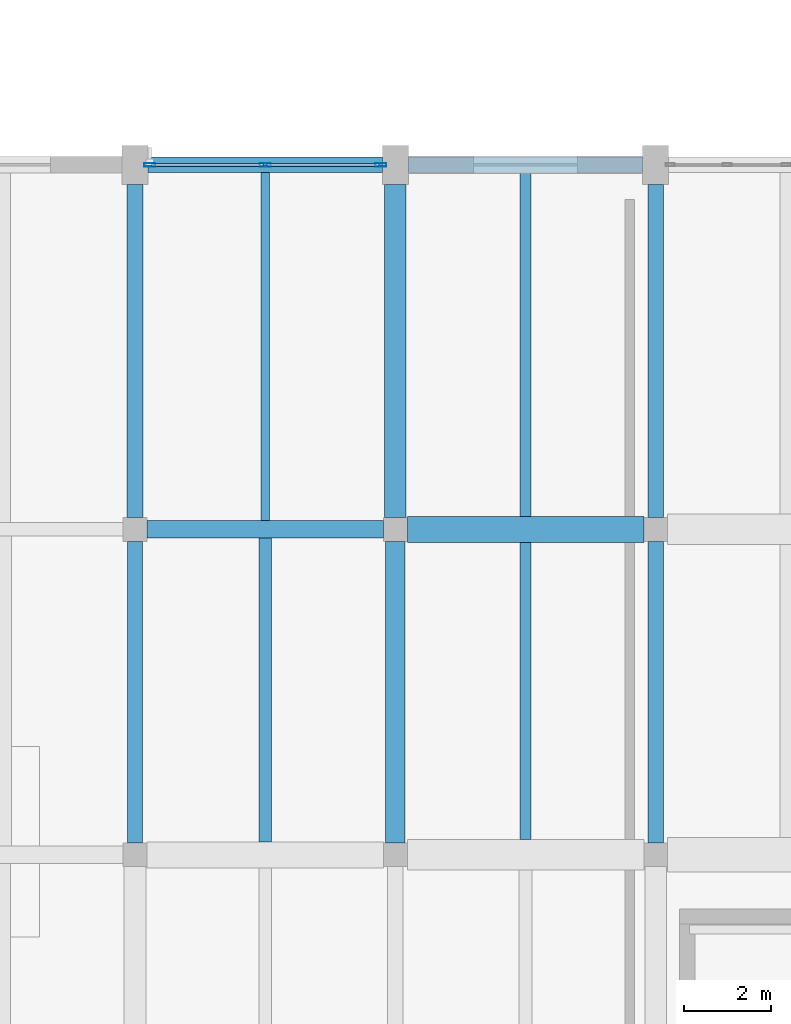
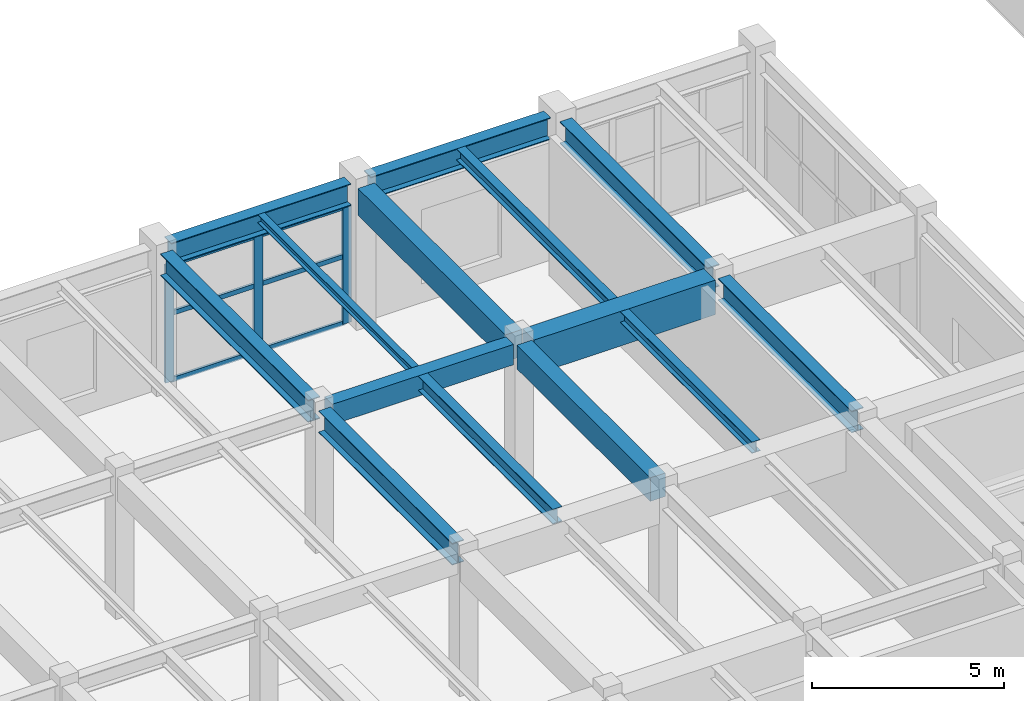
# One storey, part 43 of 96: 14 beams, 9 members, 1 element without a shape of its own.
"""IFC4 building model written with IfcOpenShell, lengths in metres."""

from ifc_helpers import new_model, si_unit, direction, frame, origin, origin_2d, place, context, subcontext, project, spatial, rectangle, hollow_rectangle, i_section, extrude, material, layer, layer_set, material_profile, profile_set, type_object, element, aggregate, save


model = new_model("IFC4")

# Units and contexts
model_context = context("Model", 3, precision=1e-05, world=origin(), true_north=direction((0.0, 1.0)))
body_context = subcontext(model_context, "Body", "Model", "MODEL_VIEW")
ifc_project = project(units=[si_unit("LENGTHUNIT", "METRE"), si_unit("AREAUNIT", "SQUARE_METRE"), si_unit("VOLUMEUNIT", "CUBIC_METRE"), si_unit("PLANEANGLEUNIT", "RADIAN"), si_unit("MASSUNIT", "GRAM", prefix="KILO")], contexts=[model_context])

# Site, building, storey
site_placement = place(None, origin())
site = spatial("IfcSite", under=ifc_project, at=site_placement, CompositionType="ELEMENT")
building_placement = place(site_placement, origin())
building = spatial("IfcBuilding", under=site, at=building_placement, Name="Vaelkrest Opera House", CompositionType="ELEMENT")
storey_placement = place(building_placement, frame((0.0, 0.0, 5.39990234375)))
storey = spatial("IfcBuildingStorey", under=building, at=storey_placement, Name="L01", CompositionType="ELEMENT", Elevation=5.39990234375)

# Beams
ifc_material_1 = material(Name="Concrete C50/60", Category="concrete")
ifc_material_profile_1 = material_profile(ifc_material_1, rectangle(XDim=0.39990234375, YDim=0.64990234375, at=origin_2d()), Name="RCB400X650")
ifc_profile_set_1 = profile_set([ifc_material_profile_1], Name="Concrete C50/60")
beam_type_1 = type_object("IfcBeamType", Name="B01", PredefinedType="BEAM", material=ifc_profile_set_1)
beam_1_placement = place(storey_placement, frame((-51.324951171875, 25.199951171875, 4.175048828125), z_axis=(1.0, 0.0, 0.0), x_axis=(0.0, 1.0, 0.0)))
element("IfcBeam", 1, at=beam_1_placement, inside=storey, type_object=beam_type_1, Name="Beam BM-V3-L01-1541", PredefinedType="BEAM", context=body_context, shape_type="SweptSolid", body=[
    extrude(rectangle(XDim=0.39990234375, YDim=0.64990234375, at=origin_2d()), origin(), (0.0, 0.0, 1.0), 5.449951171875),
])
ifc_material_profile_2 = material_profile(ifc_material_1, rectangle(XDim=0.449951171875, YDim=0.75, at=origin_2d()), Name="RCB450X750")
ifc_profile_set_2 = profile_set([ifc_material_profile_2], Name="Concrete C50/60")
beam_type_2 = type_object("IfcBeamType", Name="B02", PredefinedType="BEAM", material=ifc_profile_set_2)
beam_2_placement = place(storey_placement, frame((-45.60009765625, 17.97509765625, 4.125), z_axis=(0.0, 1.0, 0.0), x_axis=(-1.0, 0.0, 0.0)))
element("IfcBeam", 2, at=beam_2_placement, inside=storey, type_object=beam_type_2, Name="Beam BM-V3-L01-1579", PredefinedType="BEAM", context=body_context, shape_type="SweptSolid", body=[
    extrude(rectangle(XDim=0.449951171875, YDim=0.75, at=origin_2d()), origin(), (0.0, 0.0, 1.0), 6.949951171875),
])
ifc_material_profile_3 = material_profile(ifc_material_1, rectangle(XDim=0.5, YDim=0.85009765625, at=origin_2d()), Name="RCB500X850")
ifc_profile_set_3 = profile_set([ifc_material_profile_3], Name="Concrete C50/60")
beam_type_3 = type_object("IfcBeamType", Name="B03", PredefinedType="BEAM", material=ifc_profile_set_3)
beam_3_placement = place(storey_placement, frame((-45.60009765625, 25.47509765625, 4.0751953125), z_axis=(0.0, 1.0, 0.0), x_axis=(-1.0, 0.0, 0.0)))
element("IfcBeam", 3, at=beam_3_placement, inside=storey, type_object=beam_type_3, Name="Beam BM-V3-L01-1580", PredefinedType="BEAM", context=body_context, shape_type="SweptSolid", body=[
    extrude(rectangle(XDim=0.5, YDim=0.85009765625, at=origin_2d()), origin(), (0.0, 0.0, 1.0), 7.6748046875),
])
ifc_material_profile_4 = material_profile(ifc_material_1, rectangle(XDim=0.60009765625, YDim=1.10009765625, at=origin_2d()), Name="RCB600X1100")
ifc_profile_set_4 = profile_set([ifc_material_profile_4], Name="Concrete C50/60")
beam_type_4 = type_object("IfcBeamType", Name="B05", PredefinedType="BEAM", material=ifc_profile_set_4)
beam_4_placement = place(storey_placement, frame((-45.324951171875, 25.199951171875, 3.9501953125), z_axis=(1.0, 0.0, 0.0), x_axis=(0.0, 1.0, 0.0)))
element("IfcBeam", 4, at=beam_4_placement, inside=storey, type_object=beam_type_4, Name="Beam BM-V3-L01-1542", PredefinedType="BEAM", context=body_context, shape_type="SweptSolid", body=[
    extrude(rectangle(XDim=0.60009765625, YDim=1.10009765625, at=origin_2d()), origin(), (0.0, 0.0, 1.0), 5.449951171875),
])
ifc_material_2 = material(Name="Steel A992 Gr50", Category="steel")
ifc_material_profile_5 = material_profile(ifc_material_2, i_section(OverallWidth=0.35498046875, OverallDepth=0.695068359375, WebThickness=0.015380859375, FlangeThickness=0.02490234375, at=origin_2d()), Name="W27X146")
ifc_profile_set_5 = profile_set([ifc_material_profile_5], Name="Steel A992 Gr50")
beam_type_5 = type_object("IfcBeamType", Name="B10", PredefinedType="BEAM", material=ifc_profile_set_5)
for number, where, z_axis, x_axis, name in (
    (5, (-51.60009765625, 17.97509765625, 4.152587890625), (0.0, 1.0, 0.0), (-1.0, 0.0, 0.0), "Beam BM-V3-L01-1573"),
    (6, (-39.60009765625, 17.97509765625, 4.152587890625), (0.0, 1.0, 0.0), (-1.0, 0.0, 0.0), "Beam BM-V3-L01-1585"),
):
    element("IfcBeam", number, at=place(storey_placement, frame(where, z_axis=z_axis, x_axis=x_axis)), inside=storey, type_object=beam_type_5, Name=name, PredefinedType="BEAM", context=body_context, shape_type="SweptSolid", body=[
        extrude(i_section(OverallWidth=0.35498046875, OverallDepth=0.695068359375, WebThickness=0.015380859375, FlangeThickness=0.02490234375, at=origin_2d()), origin(), (0.0, 0.0, 1.0), 6.949951171875),
    ])
ifc_material_profile_6 = material_profile(ifc_material_2, i_section(OverallWidth=0.35791015625, OverallDepth=0.7060546875, WebThickness=0.018310546875, FlangeThickness=0.0302734375, at=origin_2d()), Name="W27X178")
ifc_profile_set_6 = profile_set([ifc_material_profile_6], Name="Steel A992 Gr50")
beam_type_6 = type_object("IfcBeamType", Name="B14", PredefinedType="BEAM", material=ifc_profile_set_6)
for number, where, z_axis, x_axis, name in (
    (7, (-51.60009765625, 25.47509765625, 4.147216796875), (0.0, 1.0, 0.0), (-1.0, 0.0, 0.0), "Beam BM-V3-L01-1574"),
    (8, (-39.60009765625, 25.47509765625, 4.147216796875), (0.0, 1.0, 0.0), (-1.0, 0.0, 0.0), "Beam BM-V3-L01-1586"),
):
    element("IfcBeam", number, at=place(storey_placement, frame(where, z_axis=z_axis, x_axis=x_axis)), inside=storey, type_object=beam_type_6, Name=name, PredefinedType="BEAM", context=body_context, shape_type="SweptSolid", body=[
        extrude(i_section(OverallWidth=0.35791015625, OverallDepth=0.7060546875, WebThickness=0.018310546875, FlangeThickness=0.0302734375, at=origin_2d()), origin(), (0.0, 0.0, 1.0), 7.6748046875),
    ])

# Curtain wall, members
ifc_material_3 = material(Name="Dark bronze anodized aluminium", Category="aluminium")
ifc_layer = layer(ifc_material_3, 0.25)
ifc_layer_set = layer_set([ifc_layer], Name="Dark bronze anodized aluminium")
curtain_wall_type = type_object("IfcCurtainWallType", Name="CW08", PredefinedType="NOTDEFINED", material=ifc_layer_set)
curtain_wall_placement = place(storey_placement, origin())
curtain_wall = element("IfcCurtainWall", 9, at=curtain_wall_placement, inside=storey, type_object=curtain_wall_type, Name="Curtain wall CW-L01-108", PredefinedType="NOTDEFINED")
ifc_material_profile_7 = material_profile(ifc_material_3, hollow_rectangle(XDim=0.080078125, YDim=0.260009765625, WallThickness=0.0048828125, at=origin_2d()), Name="CWM80X260")
ifc_profile_set_7 = profile_set([ifc_material_profile_7], Name="Dark bronze anodized aluminium")
member_type_1 = type_object("IfcMemberType", Name="CWM04", PredefinedType="MULLION", material=ifc_profile_set_7)
member_1_placement = place(storey_placement, frame((-51.261962890625, 33.60009765625, 0.0), z_axis=(0.0, 0.0, 1.0), x_axis=(0.0, 1.0, 0.0)))
member_1 = element("IfcMember", 10, at=member_1_placement, type_object=member_type_1, Name="CW08 mullion 1", PredefinedType="MULLION", context=body_context, shape_type="SweptSolid", body=[
    extrude(hollow_rectangle(XDim=0.080078125, YDim=0.260009765625, WallThickness=0.0048828125, at=origin_2d()), origin(), (0.0, 0.0, 1.0), 3.739990234375),
])
member_2_placement = place(storey_placement, frame((-48.60009765625, 33.60009765625, 0.0), z_axis=(0.0, 0.0, 1.0), x_axis=(0.0, 1.0, 0.0)))
member_2 = element("IfcMember", 11, at=member_2_placement, type_object=member_type_1, Name="CW08 mullion 2", PredefinedType="MULLION", context=body_context, shape_type="SweptSolid", body=[
    extrude(hollow_rectangle(XDim=0.080078125, YDim=0.260009765625, WallThickness=0.0048828125, at=origin_2d()), origin(), (0.0, 0.0, 1.0), 3.739990234375),
])
member_3_placement = place(storey_placement, frame((-45.93798828125, 33.60009765625, 0.0), z_axis=(0.0, 0.0, 1.0), x_axis=(0.0, 1.0, 0.0)))
member_3 = element("IfcMember", 12, at=member_3_placement, type_object=member_type_1, Name="CW08 mullion 3", PredefinedType="MULLION", context=body_context, shape_type="SweptSolid", body=[
    extrude(hollow_rectangle(XDim=0.080078125, YDim=0.260009765625, WallThickness=0.0048828125, at=origin_2d()), origin(), (0.0, 0.0, 1.0), 3.739990234375),
])
ifc_material_profile_8 = material_profile(ifc_material_3, hollow_rectangle(XDim=0.070068359375, YDim=0.14990234375, WallThickness=0.004150390625, at=origin_2d()), Name="CWT70X150")
ifc_profile_set_8 = profile_set([ifc_material_profile_8], Name="Dark bronze anodized aluminium")
member_type_2 = type_object("IfcMemberType", Name="CWT02", PredefinedType="USERDEFINED", material=ifc_profile_set_8)
member_4_placement = place(storey_placement, frame((-51.221923828125, 33.60009765625, 0.03515625), z_axis=(1.0, 0.0, 0.0), x_axis=(0.0, 1.0, 0.0)))
member_4 = element("IfcMember", 13, at=member_4_placement, type_object=member_type_2, Name="CW08 transom 1.1", ObjectType="TRANSOM", PredefinedType="USERDEFINED", context=body_context, shape_type="SweptSolid", body=[
    extrude(hollow_rectangle(XDim=0.070068359375, YDim=0.14990234375, WallThickness=0.004150390625, at=origin_2d()), origin(), (0.0, 0.0, 1.0), 2.58203125),
])
member_5_placement = place(storey_placement, frame((-51.221923828125, 33.60009765625, 2.150146484375), z_axis=(1.0, 0.0, 0.0), x_axis=(0.0, 1.0, 0.0)))
member_5 = element("IfcMember", 14, at=member_5_placement, type_object=member_type_2, Name="CW08 transom 1.2", ObjectType="TRANSOM", PredefinedType="USERDEFINED", context=body_context, shape_type="SweptSolid", body=[
    extrude(hollow_rectangle(XDim=0.070068359375, YDim=0.14990234375, WallThickness=0.004150390625, at=origin_2d()), origin(), (0.0, 0.0, 1.0), 2.58203125),
])
member_6_placement = place(storey_placement, frame((-51.221923828125, 33.60009765625, 3.705078125), z_axis=(1.0, 0.0, 0.0), x_axis=(0.0, 1.0, 0.0)))
member_6 = element("IfcMember", 15, at=member_6_placement, type_object=member_type_2, Name="CW08 transom 1.3", ObjectType="TRANSOM", PredefinedType="USERDEFINED", context=body_context, shape_type="SweptSolid", body=[
    extrude(hollow_rectangle(XDim=0.070068359375, YDim=0.14990234375, WallThickness=0.004150390625, at=origin_2d()), origin(), (0.0, 0.0, 1.0), 2.58203125),
])
member_7_placement = place(storey_placement, frame((-48.56005859375, 33.60009765625, 0.03515625), z_axis=(1.0, 0.0, 0.0), x_axis=(0.0, 1.0, 0.0)))
member_7 = element("IfcMember", 16, at=member_7_placement, type_object=member_type_2, Name="CW08 transom 2.1", ObjectType="TRANSOM", PredefinedType="USERDEFINED", context=body_context, shape_type="SweptSolid", body=[
    extrude(hollow_rectangle(XDim=0.070068359375, YDim=0.14990234375, WallThickness=0.004150390625, at=origin_2d()), origin(), (0.0, 0.0, 1.0), 2.58203125),
])
member_8_placement = place(storey_placement, frame((-48.56005859375, 33.60009765625, 2.150146484375), z_axis=(1.0, 0.0, 0.0), x_axis=(0.0, 1.0, 0.0)))
member_8 = element("IfcMember", 17, at=member_8_placement, type_object=member_type_2, Name="CW08 transom 2.2", ObjectType="TRANSOM", PredefinedType="USERDEFINED", context=body_context, shape_type="SweptSolid", body=[
    extrude(hollow_rectangle(XDim=0.070068359375, YDim=0.14990234375, WallThickness=0.004150390625, at=origin_2d()), origin(), (0.0, 0.0, 1.0), 2.58203125),
])
member_9_placement = place(storey_placement, frame((-48.56005859375, 33.60009765625, 3.705078125), z_axis=(1.0, 0.0, 0.0), x_axis=(0.0, 1.0, 0.0)))
member_9 = element("IfcMember", 18, at=member_9_placement, type_object=member_type_2, Name="CW08 transom 2.3", ObjectType="TRANSOM", PredefinedType="USERDEFINED", context=body_context, shape_type="SweptSolid", body=[
    extrude(hollow_rectangle(XDim=0.070068359375, YDim=0.14990234375, WallThickness=0.004150390625, at=origin_2d()), origin(), (0.0, 0.0, 1.0), 2.58203125),
])
aggregate(curtain_wall, [member_1, member_2, member_3, member_4, member_5, member_6, member_7, member_8, member_9])

# Beams
ifc_material_profile_9 = material_profile(ifc_material_2, i_section(OverallWidth=0.2041015625, OverallDepth=0.257080078125, WebThickness=0.0087890625, FlangeThickness=0.015625, at=origin_2d()), Name="W10X45")
ifc_profile_set_9 = profile_set([ifc_material_profile_9], Name="Steel A992 Gr50")
beam_type_7 = type_object("IfcBeamType", Name="J01", PredefinedType="JOIST", material=ifc_profile_set_9)
beam_5_placement = place(storey_placement, frame((-48.60009765625, 25.39990234375, 4.37158203125), z_axis=(0.0, 1.0, 0.0), x_axis=(-1.0, 0.0, 0.0)))
element("IfcBeam", 19, at=beam_5_placement, inside=storey, type_object=beam_type_7, Name="Floor joist JST-V3-L01-1611", PredefinedType="JOIST", context=body_context, shape_type="SweptSolid", body=[
    extrude(i_section(OverallWidth=0.2041015625, OverallDepth=0.257080078125, WebThickness=0.0087890625, FlangeThickness=0.015625, at=origin_2d()), origin(), (0.0, 0.0, 1.0), 8.022705078125),
])
ifc_material_profile_10 = material_profile(ifc_material_2, i_section(OverallWidth=0.2548828125, OverallDepth=0.35693359375, WebThickness=0.010498046875, FlangeThickness=0.018310546875, at=origin_2d()), Name="W14X68")
ifc_profile_set_10 = profile_set([ifc_material_profile_10], Name="Steel A992 Gr50")
beam_type_8 = type_object("IfcBeamType", Name="J05", PredefinedType="JOIST", material=ifc_profile_set_10)
beam_6_placement = place(storey_placement, frame((-42.60009765625, 18.050048828125, 4.321533203125), z_axis=(0.0, 1.0, 0.0), x_axis=(-1.0, 0.0, 0.0)))
element("IfcBeam", 20, at=beam_6_placement, inside=storey, type_object=beam_type_8, Name="Floor joist JST-V3-L01-1615", PredefinedType="JOIST", context=body_context, shape_type="SweptSolid", body=[
    extrude(i_section(OverallWidth=0.2548828125, OverallDepth=0.35693359375, WebThickness=0.010498046875, FlangeThickness=0.018310546875, at=origin_2d()), origin(), (0.0, 0.0, 1.0), 6.849853515625),
])
ifc_material_profile_11 = material_profile(ifc_material_2, i_section(OverallWidth=0.257080078125, OverallDepth=0.363037109375, WebThickness=0.012939453125, FlangeThickness=0.021728515625, at=origin_2d()), Name="W14X82")
ifc_profile_set_11 = profile_set([ifc_material_profile_11], Name="Steel A992 Gr50")
beam_type_9 = type_object("IfcBeamType", Name="J06", PredefinedType="JOIST", material=ifc_profile_set_11)
beam_7_placement = place(storey_placement, frame((-42.60009765625, 25.5, 4.318603515625), z_axis=(0.0, 1.0, 0.0), x_axis=(-1.0, 0.0, 0.0)))
element("IfcBeam", 21, at=beam_7_placement, inside=storey, type_object=beam_type_9, Name="Floor joist JST-V3-L01-1616", PredefinedType="JOIST", context=body_context, shape_type="SweptSolid", body=[
    extrude(i_section(OverallWidth=0.257080078125, OverallDepth=0.363037109375, WebThickness=0.012939453125, FlangeThickness=0.021728515625, at=origin_2d()), origin(), (0.0, 0.0, 1.0), 7.922607421875),
])
ifc_material_profile_12 = material_profile(ifc_material_2, i_section(OverallWidth=0.282958984375, OverallDepth=0.471923828125, WebThickness=0.013671875, FlangeThickness=0.022216796875, at=origin_2d()), Name="W18X97")
ifc_profile_set_12 = profile_set([ifc_material_profile_12], Name="Steel A992 Gr50")
beam_type_10 = type_object("IfcBeamType", Name="J10", PredefinedType="JOIST", material=ifc_profile_set_12)
beam_8_placement = place(storey_placement, frame((-48.60009765625, 18.0, 4.26416015625), z_axis=(0.0, 1.0, 0.0), x_axis=(-1.0, 0.0, 0.0)))
element("IfcBeam", 22, at=beam_8_placement, inside=storey, type_object=beam_type_10, Name="Floor joist JST-V3-L01-1610", PredefinedType="JOIST", context=body_context, shape_type="SweptSolid", body=[
    extrude(i_section(OverallWidth=0.282958984375, OverallDepth=0.471923828125, WebThickness=0.013671875, FlangeThickness=0.022216796875, at=origin_2d()), origin(), (0.0, 0.0, 1.0), 7.0),
])
ifc_material_profile_13 = material_profile(ifc_material_2, i_section(OverallWidth=0.35498046875, OverallDepth=0.695068359375, WebThickness=0.015380859375, FlangeThickness=0.02490234375, at=origin_2d()), Name="W27X146")
ifc_profile_set_13 = profile_set([ifc_material_profile_13], Name="Steel A992 Gr50")
beam_type_11 = type_object("IfcBeamType", Name="SP02", PredefinedType="SPANDREL", material=ifc_profile_set_13)
for number, where, z_axis, x_axis, name in (
    (23, (-51.300048828125, 33.60009765625, 4.152587890625), (1.0, 0.0, 0.0), (0.0, 1.0, 0.0), "Beam BM-V3-L01-1548"),
    (24, (-45.300048828125, 33.60009765625, 4.152587890625), (1.0, 0.0, 0.0), (0.0, 1.0, 0.0), "Beam BM-V3-L01-1549"),
):
    element("IfcBeam", number, at=place(storey_placement, frame(where, z_axis=z_axis, x_axis=x_axis)), inside=storey, type_object=beam_type_11, Name=name, PredefinedType="SPANDREL", context=body_context, shape_type="SweptSolid", body=[
        extrude(i_section(OverallWidth=0.35498046875, OverallDepth=0.695068359375, WebThickness=0.015380859375, FlangeThickness=0.02490234375, at=origin_2d()), origin(), (0.0, 0.0, 1.0), 5.400146484375),
    ])

save(model, "model.ifc")
